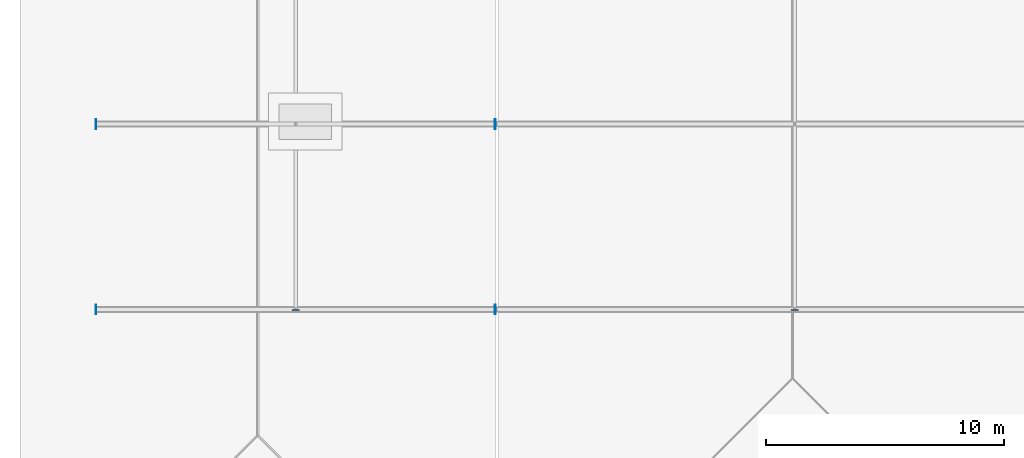
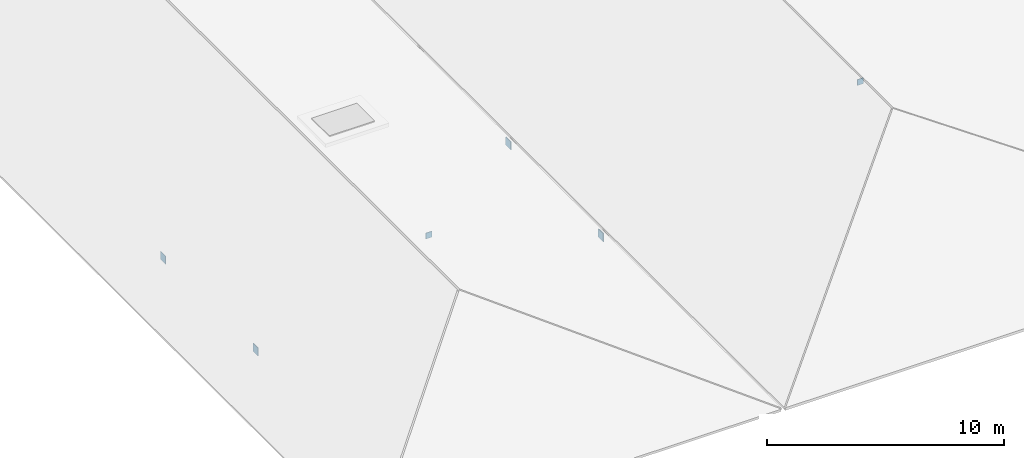
# One storey, part 19 of 41: 8 plates.
"""IFC4 building model written with IfcOpenShell, lengths in metres."""

import ifcopenshell
import ifcopenshell.guid

model = None  # the IFC model being written
_history = None  # IfcOwnerHistory: only IFC2X3 demands one
_inside = {}  # id of a spatial element -> (the spatial element, [elements in it])
_under = {}  # id of a project, library or spatial element -> (it, [spatial elements below it])
_declared = {}  # id of a project -> (the project, [libraries it declares])
_typed = {}  # id of a type object -> (the type object, [elements of that type])
_made_of = {}  # id of a material, layer set ... -> (it, [elements and type objects made of it])


def new_model(schema):
    """Start an empty IFC model of exactly this schema.

    Asked for "IFC4X3", IfcOpenShell would pick the latest addendum, in which some entities
    have other attributes; the version numbers below select the first issue.
    IFC2X3 requires an IfcOwnerHistory on every rooted entity: one is made here for all.
    """
    global model, _history
    if schema == "IFC4X3":
        model = ifcopenshell.file(schema_version=(4, 3, 0, 0))
    else:
        model = ifcopenshell.file(schema=schema)
    _inside.clear()
    _under.clear()
    _declared.clear()
    _typed.clear()
    _made_of.clear()
    _history = None
    if model.schema == "IFC2X3":
        org = make("IfcOrganization", Name="unknown")
        user = make(
            "IfcPersonAndOrganization",
            ThePerson=make("IfcPerson", FamilyName="unknown"),
            TheOrganization=org,
        )
        app = make(
            "IfcApplication",
            ApplicationDeveloper=org,
            Version="unknown",
            ApplicationFullName="unknown",
            ApplicationIdentifier="unknown",
        )
        _history = make(
            "IfcOwnerHistory",
            OwningUser=user,
            OwningApplication=app,
            ChangeAction="ADDED",
            CreationDate=0,
        )
    return model


def make(cls, **values):
    """One entity of the class cls with the attributes given. An attribute that is None is left unset."""
    return model.create_entity(
        cls, **{name: value for name, value in values.items() if value is not None}
    )


def rooted(cls, **values):
    """An entity with a GlobalId (a new one), such as an element, a storey or a relation."""
    return make(cls, GlobalId=ifcopenshell.guid.new(), OwnerHistory=_history, **values)


def si_unit(unit_type, name, prefix=None):
    """IfcSIUnit, for example si_unit("LENGTHUNIT", "METRE", prefix="MILLI")."""
    return make("IfcSIUnit", UnitType=unit_type, Prefix=prefix, Name=name)


def assignment(units):
    """IfcUnitAssignment: the units of a project."""
    return None if units is None else make("IfcUnitAssignment", Units=units)


def point(xyz):
    """IfcCartesianPoint."""
    return None if xyz is None else make("IfcCartesianPoint", Coordinates=xyz)


def direction(xyz):
    """IfcDirection."""
    return None if xyz is None else make("IfcDirection", DirectionRatios=xyz)


def frame(location, z_axis=None, x_axis=None):
    """IfcAxis2Placement3D, a coordinate frame: its origin and axes. An axis left out is left unset."""
    return make(
        "IfcAxis2Placement3D",
        Location=point(location),
        Axis=direction(z_axis),
        RefDirection=direction(x_axis),
    )


def frame_2d(location, x_axis=None):
    """IfcAxis2Placement2D, a coordinate frame in the plane: its origin and x axis."""
    return make(
        "IfcAxis2Placement2D", Location=point(location), RefDirection=direction(x_axis)
    )


def origin():
    """The frame at (0, 0, 0) with its axes left unset."""
    return frame((0.0, 0.0, 0.0))


def origin_2d():
    """The frame at (0, 0) in the plane with its x axis left unset."""
    return frame_2d((0.0, 0.0))


def place(relative_to, where):
    """IfcLocalPlacement: puts the frame where relative to a parent placement (None: the world)."""
    return make(
        "IfcLocalPlacement", PlacementRelTo=relative_to, RelativePlacement=where
    )


def context(
    kind, dimensions, precision=None, world=None, true_north=None, identifier=None
):
    """IfcGeometricRepresentationContext, for example the 3D "Model" context."""
    return make(
        "IfcGeometricRepresentationContext",
        ContextIdentifier=identifier,
        ContextType=kind,
        CoordinateSpaceDimension=dimensions,
        Precision=precision,
        WorldCoordinateSystem=world,
        TrueNorth=true_north,
    )


def subcontext(parent, identifier, kind, view, scale=None):
    """IfcGeometricRepresentationSubContext, for example "Body" below "Model"."""
    return make(
        "IfcGeometricRepresentationSubContext",
        ContextIdentifier=identifier,
        ContextType=kind,
        ParentContext=parent,
        TargetScale=scale,
        TargetView=view,
    )


def project(units=None, contexts=None):
    """IfcProject with its units and contexts."""
    return rooted(
        "IfcProject",
        Name="project",
        RepresentationContexts=contexts,
        UnitsInContext=assignment(units),
    )


def spatial(cls, under=None, at=None, **own):
    """A site, building, storey or space (cls), placed at a placement, below another one or the project."""
    s = rooted(cls, ObjectPlacement=at, **own)
    if under is not None:
        _under.setdefault(under.id(), (under, []))[1].append(s)
    return s


def profile(cls, at=None, kind="AREA", **sizes):
    """A parametric profile (cls). Its sizes go by their IFC names, for example OverallWidth=200.0."""
    return make(cls, ProfileType=kind, Position=at, **sizes)


def rectangle(**sizes):
    """IfcRectangleProfileDef."""
    return profile("IfcRectangleProfileDef", **sizes)


def extrude(swept, where, along, depth):
    """IfcExtrudedAreaSolid: the profile swept, set in the frame where, extruded along a direction by depth."""
    return make(
        "IfcExtrudedAreaSolid",
        SweptArea=swept,
        Position=where,
        ExtrudedDirection=direction(along),
        Depth=depth,
    )


def shape(context_of_items, identifier, shape_type, items):
    """IfcShapeRepresentation: the items that make up one representation, for example the "Body"."""
    return make(
        "IfcShapeRepresentation",
        ContextOfItems=context_of_items,
        RepresentationIdentifier=identifier,
        RepresentationType=shape_type,
        Items=items,
    )


def material(Name=None, Category=None):
    """IfcMaterial."""
    return make("IfcMaterial", Name=Name, Category=Category)


def layer(
    of_material, thickness, ventilated=None, Name=None, Category=None, Priority=None
):
    """IfcMaterialLayer: one layer of a wall or slab, of a material (None: an air gap)."""
    return make(
        "IfcMaterialLayer",
        Material=of_material,
        LayerThickness=thickness,
        IsVentilated=ventilated,
        Name=Name,
        Category=Category,
        Priority=Priority,
    )


def layer_set(layers, Name=None):
    """IfcMaterialLayerSet."""
    return make("IfcMaterialLayerSet", MaterialLayers=layers, LayerSetName=Name)


def made_of(thing, what):
    """Note that an element or type object is made of a material, layer set ...; save() writes the relation."""
    if what is not None:
        _made_of.setdefault(what.id(), (what, []))[1].append(thing)
    return thing


def type_object(cls, material=None, **own):
    """A type object (cls), such as IfcWallType, which elements share."""
    return made_of(rooted(cls, **own), material)


def element(
    cls,
    number,
    at=None,
    inside=None,
    cuts=None,
    type_object=None,
    material=None,
    context=None,
    identifier="Body",
    shape_type=None,
    held_by="IfcProductDefinitionShape",
    body=None,
    shapes=None,
    **own,
):
    """One element of the class cls, such as IfcWall. Its Tag is "e" and its number.

    at: its placement. inside: the storey or other place that contains it. cuts: it is an
    opening in that element (IfcRelVoidsElement). A single representation is given by context,
    identifier, shape_type and body (its items); several are given by shapes. held_by: the class
    of the entity that holds the representations. save() writes the other relations.
    """
    e = rooted(cls, Tag="e%d" % number, ObjectPlacement=at, **own)
    if body is not None:
        shapes = [shape(context, identifier, shape_type, body)]
    if shapes is not None:
        e.Representation = make(held_by, Representations=shapes)
    if inside is not None:
        _inside.setdefault(inside.id(), (inside, []))[1].append(e)
    if cuts is not None:
        rooted(
            "IfcRelVoidsElement", RelatingBuildingElement=cuts, RelatedOpeningElement=e
        )
    if type_object is not None:
        _typed.setdefault(type_object.id(), (type_object, []))[1].append(e)
    return made_of(e, material)


def aggregate(whole, parts):
    """IfcRelAggregates: a whole, such as a stair, and the parts it consists of."""
    return rooted("IfcRelAggregates", RelatingObject=whole, RelatedObjects=parts)


def save(model, path):
    """Write the relations noted so far, then the file.

    IfcRelAggregates (storeys below a building ...), IfcRelContainedInSpatialStructure (elements
    in a storey), IfcRelDefinesByType, IfcRelAssociatesMaterial and IfcRelDeclares: one each for
    every whole, place, type object, material and project.
    """
    for whole, parts in _under.values():
        aggregate(whole, parts)
    for where, things in _inside.values():
        rooted(
            "IfcRelContainedInSpatialStructure",
            RelatedElements=things,
            RelatingStructure=where,
        )
    for kind, things in _typed.values():
        rooted("IfcRelDefinesByType", RelatedObjects=things, RelatingType=kind)
    for what, things in _made_of.values():
        rooted("IfcRelAssociatesMaterial", RelatedObjects=things, RelatingMaterial=what)
    for by, libraries in _declared.values():
        rooted("IfcRelDeclares", RelatingContext=by, RelatedDefinitions=libraries)
    model.write(path)


model = new_model("IFC4")

# Units and contexts
model_context = context("Model", 3, precision=1e-05, world=origin(), true_north=direction((0.0, 1.0)))
body_context = subcontext(model_context, "Body", "Model", "MODEL_VIEW")
ifc_project = project(units=[si_unit("LENGTHUNIT", "METRE"), si_unit("AREAUNIT", "SQUARE_METRE"), si_unit("VOLUMEUNIT", "CUBIC_METRE"), si_unit("PLANEANGLEUNIT", "RADIAN"), si_unit("MASSUNIT", "GRAM", prefix="KILO")], contexts=[model_context])

# Site, building, storey
site_placement = place(None, origin())
site = spatial("IfcSite", under=ifc_project, at=site_placement, CompositionType="ELEMENT")
building_placement = place(site_placement, origin())
building = spatial("IfcBuilding", under=site, at=building_placement, Name="Nabrawat Pavilion Hospital", CompositionType="ELEMENT")
storey_placement = place(building_placement, frame((0.0, 0.0, 18.89990234375)))
storey = spatial("IfcBuildingStorey", under=building, at=storey_placement, Name="L04", CompositionType="ELEMENT", Elevation=18.89990234375)

# Plates
ifc_material = material(Name="Steel S355", Category="steel")
ifc_layer_1 = layer(ifc_material, 0.030029296875, Name="Steel S355")
ifc_layer_set_1 = layer_set([ifc_layer_1], Name="Steel S355")
plate_type_1 = type_object("IfcPlateType", Name="Pavilion Splice Flange Plate 550x550x30", PredefinedType="USERDEFINED", material=ifc_layer_set_1)
for number, where, z_axis, x_axis, name in (
    (1, (25.199951171875, 54.5849609375, 2.4638671875), (0.0, 0.0, 1.0), (1.0, 0.0, 0.0), "Surgical West-South Pavilion Hollow Ridge Purlin End Cap Plate S"),
    (2, (46.199951171875, 54.5849609375, 3.01123046875), (0.0, 0.0, 1.0), (1.0, 0.0, 0.0), "Surgical East-South Pavilion Hollow Ridge Purlin End Cap Plate S"),
):
    element("IfcPlate", number, at=place(storey_placement, frame(where, z_axis=z_axis, x_axis=x_axis)), inside=storey, type_object=plate_type_1, Name=name, ObjectType="FLANGE PLATE", PredefinedType="USERDEFINED", context=body_context, shape_type="SweptSolid", body=[
        extrude(rectangle(XDim=0.300048828125, YDim=0.030029296875, at=origin_2d()), origin(), (0.0, 0.0, 1.0), 0.300048828125),
    ])
ifc_layer_2 = layer(ifc_material, 0.02001953125, Name="Steel S355")
ifc_layer_set_2 = layer_set([ifc_layer_2], Name="Steel S355")
plate_type_2 = type_object("IfcPlateType", Name="Space Frame Interior Gusset Node Plate 420x420x20", PredefinedType="USERDEFINED", material=ifc_layer_set_2)
for number, where, z_axis, x_axis, name in (
    (3, (16.7900390625, 54.60009765625, -0.559814453125), (0.0, 0.0, 1.0), (1.0, 0.0, 0.0), "Surgical West-South Pavilion Tie Chord End Cap Plate 01-W"),
    (4, (33.610107421875, 54.60009765625, -0.559814453125), (0.0, 0.0, 1.0), (1.0, 0.0, 0.0), "Surgical West-South Pavilion Tie Chord End Cap Plate 01-E"),
    (5, (16.7900390625, 62.39990234375, -0.559814453125), (0.0, 0.0, 1.0), (1.0, 0.0, 0.0), "Surgical West-South Pavilion Tie Chord End Cap Plate 02-W"),
    (6, (33.610107421875, 62.39990234375, -0.559814453125), (0.0, 0.0, 1.0), (1.0, 0.0, 0.0), "Surgical West-South Pavilion Tie Chord End Cap Plate 02-E"),
    (7, (33.590087890625, 54.60009765625, -0.559814453125), (0.0, 0.0, 1.0), (1.0, 0.0, 0.0), "Surgical East-South Pavilion Tie Chord End Cap Plate 01-W"),
    (8, (33.590087890625, 62.39990234375, -0.559814453125), (0.0, 0.0, 1.0), (1.0, 0.0, 0.0), "Surgical East-South Pavilion Tie Chord End Cap Plate 02-W"),
):
    element("IfcPlate", number, at=place(storey_placement, frame(where, z_axis=z_axis, x_axis=x_axis)), inside=storey, type_object=plate_type_2, Name=name, ObjectType="GUSSET PLATE", PredefinedType="USERDEFINED", context=body_context, shape_type="SweptSolid", body=[
        extrude(rectangle(XDim=0.02001953125, YDim=0.419921875, at=origin_2d()), origin(), (0.0, 0.0, 1.0), 0.419921875),
    ])

save(model, "model.ifc")
